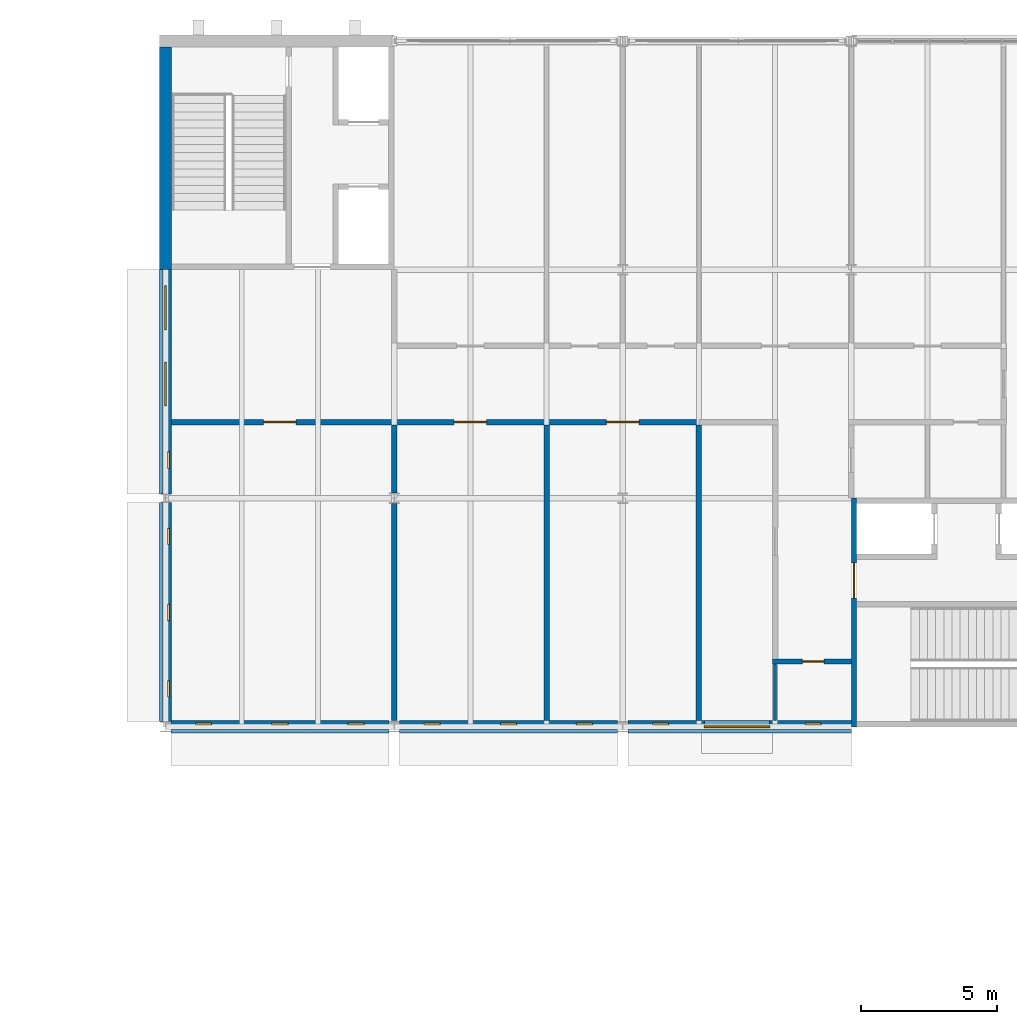
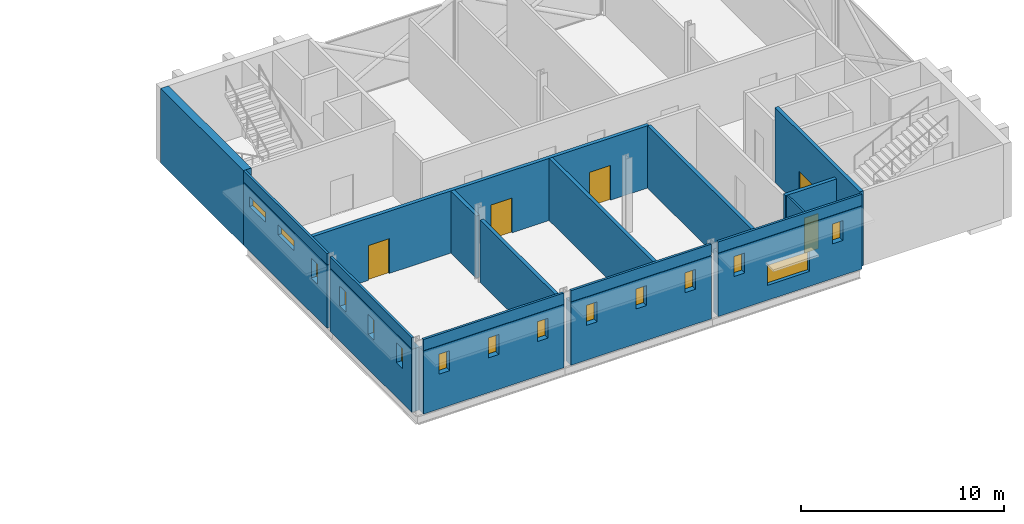
# One storey, part 16 of 22: 19 walls, 15 windows, 5 doors, 20 openings.
"""IFC4 building model written with IfcOpenShell, lengths in metres."""

from ifc_helpers import new_model, si_unit, direction, frame, frame_2d, origin, place, context, subcontext, project, spatial, rectangle, extrude, material, layer, layer_set, type_object, element, fill, save


model = new_model("IFC4")

# Units and contexts
model_context = context("Model", 3, precision=1e-05, world=origin(), true_north=direction((0.0, 1.0)))
body_context = subcontext(model_context, "Body", "Model", "MODEL_VIEW")
ifc_project = project(units=[si_unit("LENGTHUNIT", "METRE"), si_unit("AREAUNIT", "SQUARE_METRE"), si_unit("VOLUMEUNIT", "CUBIC_METRE"), si_unit("PLANEANGLEUNIT", "RADIAN"), si_unit("MASSUNIT", "GRAM", prefix="KILO")], contexts=[model_context])

# Site, building, storey
site_placement = place(None, origin())
site = spatial("IfcSite", under=ifc_project, at=site_placement, CompositionType="ELEMENT")
building_placement = place(site_placement, origin())
building = spatial("IfcBuilding", under=site, at=building_placement, Name="Ardhachandra Cancer Care Centre", CompositionType="ELEMENT")
storey_placement = place(building_placement, frame((0.0, 0.0, 18.0)))
storey = spatial("IfcBuildingStorey", under=building, at=storey_placement, Name="L04", CompositionType="ELEMENT", Elevation=18.0)

# Wall, opening, door
ifc_material_1 = material(Name="Gypsum board corridor partition on steel studs", Category="steel")
ifc_layer_1 = layer(ifc_material_1, 0.199951171875)
ifc_layer_set_1 = layer_set([ifc_layer_1], Name="Gypsum board corridor partition on steel studs")
wall_type_1 = type_object("IfcWallType", Name="CORRIDOR WALL 200", PredefinedType="PARTITIONING", material=ifc_layer_set_1)
wall_1_placement = place(storey_placement, frame((133.89990234375, 82.199951171875, 0.0), z_axis=(0.0, 0.0, 1.0), x_axis=(1.0, 0.0, 0.0)))
wall_1 = element("IfcWall", 1, at=wall_1_placement, inside=storey, type_object=wall_type_1, Name="R/wall/L04/h0082200_0133900", PredefinedType="PARTITIONING", context=body_context, shape_type="SweptSolid", body=[
    extrude(rectangle(XDim=2.900146484375, YDim=0.199951171875, at=frame_2d((1.4501953125, 0.0))), origin(), (0.0, 0.0, 1.0), 3.89404296875),
])
opening_1_placement = place(wall_1_placement, frame((1.10009765625, 0.0, 0.0)))
opening_1 = element("IfcOpeningElement", 2, at=opening_1_placement, cuts=wall_1, Name="Opening L04-0001", PredefinedType="OPENING", context=body_context, shape_type="SweptSolid", body=[
    extrude(rectangle(XDim=0.800048828125, YDim=2.10009765625, at=frame_2d((0.39990234375, 1.050048828125))), frame((0.0, 0.10986328125, 0.0), z_axis=(0.0, -1.0, 0.0), x_axis=(1.0, 0.0, 0.0)), (0.0, 0.0, 1.0), 0.219970703125),
])
ifc_material_2 = material(Name="Timber flush fire door", Category="wood")
door_type_1 = type_object("IfcDoorType", Name="STORE DOOR 800x2100 FD30S", OperationType="NOTDEFINED", PredefinedType="DOOR", material=ifc_material_2)
door_1_placement = place(opening_1_placement, origin())
door_1 = element("IfcDoor", 3, at=door_1_placement, inside=storey, type_object=door_type_1, Name="Door L04-0001", OperationType="SINGLE_SWING_RIGHT", OverallHeight=2.10009765625, OverallWidth=0.800048828125, PredefinedType="DOOR", context=body_context, shape_type="SweptSolid", body=[
    extrude(rectangle(XDim=0.800048828125, YDim=2.10009765625, at=frame_2d((0.39990234375, 1.050048828125))), frame((0.0, 0.02490234375, 0.0), z_axis=(0.0, -1.0, 0.0), x_axis=(1.0, 0.0, 0.0)), (0.0, 0.0, 1.0), 0.050048828125),
])
fill(opening_1, door_1)

# Wall
ifc_material_3 = material(Name="Concrete M40", Category="concrete")
ifc_layer_2 = layer(ifc_material_3, 0.449951171875)
ifc_layer_set_2 = layer_set([ifc_layer_2], Name="Concrete M40")
wall_type_2 = type_object("IfcWallType", Name="Core exterior wall RC 450", PredefinedType="SOLIDWALL", material=ifc_layer_set_2)
wall_2_placement = place(storey_placement, frame((111.60009765625, 96.60009765625, 0.0), z_axis=(0.0, 0.0, 1.0), x_axis=(0.0, 1.0, 0.0)))
element("IfcWall", 4, at=wall_2_placement, inside=storey, type_object=wall_type_2, Name="Core wall K12 UW", PredefinedType="SOLIDWALL", context=body_context, shape_type="SweptSolid", body=[
    extrude(rectangle(XDim=8.1748046875, YDim=0.449951171875, at=frame_2d((4.08740234375, 0.0))), origin(), (0.0, 0.0, 1.0), 4.5),
])

# Wall, opening, door
ifc_material_4 = material(Name="Concrete M40", Category="concrete")
ifc_layer_3 = layer(ifc_material_4, 0.199951171875)
ifc_layer_set_3 = layer_set([ifc_layer_3], Name="Concrete M40")
wall_type_3 = type_object("IfcWallType", Name="Core wall RC 200", PredefinedType="SOLIDWALL", material=ifc_layer_set_3)
wall_3_placement = place(storey_placement, frame((136.89990234375, 79.800048828125, 0.0), z_axis=(0.0, 0.0, 1.0), x_axis=(0.0, 1.0, 0.0)))
wall_3 = element("IfcWall", 5, at=wall_3_placement, inside=storey, type_object=wall_type_3, Name="Core wall K13 ENT", PredefinedType="SOLIDWALL", context=body_context, shape_type="SweptSolid", body=[
    extrude(rectangle(XDim=8.39990234375, YDim=0.199951171875, at=frame_2d((4.199951171875, 0.0))), origin(), (0.0, 0.0, 1.0), 4.5),
])
opening_2_placement = place(wall_3_placement, frame((4.72509765625, 0.0, 0.0)))
opening_2 = element("IfcOpeningElement", 6, at=opening_2_placement, cuts=wall_3, Name="Opening L04-K13-1", PredefinedType="OPENING", context=body_context, shape_type="SweptSolid", body=[
    extrude(rectangle(XDim=1.300048828125, YDim=2.10009765625, at=frame_2d((0.64990234375, 1.050048828125))), frame((0.0, 0.10986328125, 0.0), z_axis=(0.0, -1.0, 0.0), x_axis=(1.0, 0.0, 0.0)), (0.0, 0.0, 1.0), 0.219970703125),
])
ifc_material_5 = material(Name="Steel door set", Category="steel")
door_type_2 = type_object("IfcDoorType", Name="Core entry double door 1300x2100 FD60", OperationType="DOUBLE_DOOR_DOUBLE_SWING", PredefinedType="DOOR", material=ifc_material_5)
door_2_placement = place(opening_2_placement, origin())
door_2 = element("IfcDoor", 7, at=door_2_placement, inside=storey, type_object=door_type_2, Name="Core entry door", OperationType="DOUBLE_DOOR_DOUBLE_SWING", OverallHeight=2.10009765625, OverallWidth=1.300048828125, PredefinedType="DOOR", context=body_context, shape_type="SweptSolid", body=[
    extrude(rectangle(XDim=1.300048828125, YDim=2.10009765625, at=frame_2d((0.64990234375, 1.050048828125))), frame((0.0, 0.02490234375, 0.0), z_axis=(0.0, -1.0, 0.0), x_axis=(1.0, 0.0, 0.0)), (0.0, 0.0, 1.0), 0.050048828125),
])
fill(opening_2, door_2)

# Walls
ifc_material_6 = material(Name="Precast Concrete M30 fascia panel with brick slip facing", Category="masonry")
ifc_layer_4 = layer(ifc_material_6, 0.1298828125)
ifc_layer_set_4 = layer_set([ifc_layer_4], Name="Precast Concrete M30 fascia panel with brick slip facing")
wall_type_4 = type_object("IfcWallType", Name="Edge beam fascia 130", PredefinedType="SOLIDWALL", material=ifc_layer_set_4)
for number, where, z_axis, x_axis, name in (
    (8, (111.797607421875, 79.639892578125, 3.820068359375), (0.0, 0.0, 1.0), (1.0, 0.0, 0.0), "E/fascia/L04/s/0111600_0079800"),
    (9, (120.197509765625, 79.639892578125, 3.820068359375), (0.0, 0.0, 1.0), (1.0, 0.0, 0.0), "E/fascia/L04/s/0120000_0079800"),
):
    element("IfcWall", number, at=place(storey_placement, frame(where, z_axis=z_axis, x_axis=x_axis)), inside=storey, type_object=wall_type_4, Name=name, PredefinedType="SOLIDWALL", context=body_context, shape_type="SweptSolid", body=[
        extrude(rectangle(XDim=8.0048828125, YDim=0.1298828125, at=frame_2d((4.00244140625, 0.0))), origin(), (0.0, 0.0, 1.0), 0.679931640625),
    ])
wall_4_placement = place(storey_placement, frame((128.597412109375, 79.639892578125, 3.820068359375), z_axis=(0.0, 0.0, 1.0), x_axis=(1.0, 0.0, 0.0)))
element("IfcWall", 10, at=wall_4_placement, inside=storey, type_object=wall_type_4, Name="E/fascia/L04/s/0128400_0079800", PredefinedType="SOLIDWALL", context=body_context, shape_type="SweptSolid", body=[
    extrude(rectangle(XDim=8.20263671875, YDim=0.1298828125, at=frame_2d((4.101318359375, 0.0))), origin(), (0.0, 0.0, 1.0), 0.679931640625),
])
wall_5_placement = place(storey_placement, frame((111.43994140625, 79.989990234375, 3.820068359375), z_axis=(0.0, 0.0, 1.0), x_axis=(0.0, 1.0, 0.0)))
element("IfcWall", 11, at=wall_5_placement, inside=storey, type_object=wall_type_4, Name="E/fascia/L04/w/0111600_0079800", PredefinedType="SOLIDWALL", context=body_context, shape_type="SweptSolid", body=[
    extrude(rectangle(XDim=8.06005859375, YDim=0.1298828125, at=frame_2d((4.030029296875, 0.0))), origin(), (0.0, 0.0, 1.0), 0.679931640625),
])
wall_6_placement = place(storey_placement, frame((111.43994140625, 88.35009765625, 3.820068359375), z_axis=(0.0, 0.0, 1.0), x_axis=(0.0, 1.0, 0.0)))
element("IfcWall", 12, at=wall_6_placement, inside=storey, type_object=wall_type_4, Name="E/fascia/L04/w/0111600_0088200", PredefinedType="SOLIDWALL", context=body_context, shape_type="SweptSolid", body=[
    extrude(rectangle(XDim=8.25, YDim=0.1298828125, at=frame_2d((4.125, 0.0))), origin(), (0.0, 0.0, 1.0), 0.679931640625),
])

# Wall, openings, doors
ifc_material_7 = material(Name="Lead-lined gypsum board partition")
ifc_layer_5 = layer(ifc_material_7, 0.199951171875)
ifc_layer_set_5 = layer_set([ifc_layer_5], Name="Lead-lined gypsum board partition")
wall_type_5 = type_object("IfcWallType", Name="LEAD-LINED PARTITION 200", PredefinedType="PARTITIONING", material=ifc_layer_set_5)
wall_7_placement = place(storey_placement, frame((111.824951171875, 91.0, 0.0), z_axis=(0.0, 0.0, 1.0), x_axis=(1.0, 0.0, 0.0)))
wall_7 = element("IfcWall", 13, at=wall_7_placement, inside=storey, type_object=wall_type_5, Name="R/wall/L04/h0091000_0111825", PredefinedType="PARTITIONING", context=body_context, shape_type="SweptSolid", body=[
    extrude(rectangle(XDim=19.375, YDim=0.199951171875, at=frame_2d((9.6875, 0.0))), origin(), (0.0, 0.0, 1.0), 3.75),
])
opening_3_placement = place(wall_7_placement, frame((3.375, 0.0, 0.0)))
opening_3 = element("IfcOpeningElement", 14, at=opening_3_placement, cuts=wall_7, Name="Opening L04-0011", PredefinedType="OPENING", context=body_context, shape_type="SweptSolid", body=[
    extrude(rectangle(XDim=1.199951171875, YDim=2.10009765625, at=frame_2d((0.60009765625, 1.050048828125))), frame((0.0, 0.10986328125, 0.0), z_axis=(0.0, -1.0, 0.0), x_axis=(1.0, 0.0, 0.0)), (0.0, 0.0, 1.0), 0.219970703125),
])
opening_4_placement = place(wall_7_placement, frame((10.375, 0.0, 0.0)))
opening_4 = element("IfcOpeningElement", 15, at=opening_4_placement, cuts=wall_7, Name="Opening L04-0012", PredefinedType="OPENING", context=body_context, shape_type="SweptSolid", body=[
    extrude(rectangle(XDim=1.199951171875, YDim=2.10009765625, at=frame_2d((0.60009765625, 1.050048828125))), frame((0.0, 0.10986328125, 0.0), z_axis=(0.0, -1.0, 0.0), x_axis=(1.0, 0.0, 0.0)), (0.0, 0.0, 1.0), 0.219970703125),
])
opening_5_placement = place(wall_7_placement, frame((15.97509765625, 0.0, 0.0)))
opening_5 = element("IfcOpeningElement", 16, at=opening_5_placement, cuts=wall_7, Name="Opening L04-0013", PredefinedType="OPENING", context=body_context, shape_type="SweptSolid", body=[
    extrude(rectangle(XDim=1.199951171875, YDim=2.10009765625, at=frame_2d((0.60009765625, 1.050048828125))), frame((0.0, 0.10986328125, 0.0), z_axis=(0.0, -1.0, 0.0), x_axis=(1.0, 0.0, 0.0)), (0.0, 0.0, 1.0), 0.219970703125),
])
ifc_material_8 = material(Name="Lead-lined timber door", Category="wood")
door_type_3 = type_object("IfcDoorType", Name="LEAD-LINED DOOR 1200x2100 FD60", OperationType="NOTDEFINED", PredefinedType="DOOR", material=ifc_material_8)
door_3_placement = place(opening_3_placement, origin())
door_3 = element("IfcDoor", 17, at=door_3_placement, inside=storey, type_object=door_type_3, Name="Door L04-0011", OperationType="SINGLE_SWING_RIGHT", OverallHeight=2.10009765625, OverallWidth=1.199951171875, PredefinedType="DOOR", context=body_context, shape_type="SweptSolid", body=[
    extrude(rectangle(XDim=1.199951171875, YDim=2.10009765625, at=frame_2d((0.60009765625, 1.050048828125))), frame((0.0, 0.02490234375, 0.0), z_axis=(0.0, -1.0, 0.0), x_axis=(1.0, 0.0, 0.0)), (0.0, 0.0, 1.0), 0.050048828125),
])
fill(opening_3, door_3)
door_4_placement = place(opening_4_placement, origin())
door_4 = element("IfcDoor", 18, at=door_4_placement, inside=storey, type_object=door_type_3, Name="Door L04-0012", OperationType="SINGLE_SWING_LEFT", OverallHeight=2.10009765625, OverallWidth=1.199951171875, PredefinedType="DOOR", context=body_context, shape_type="SweptSolid", body=[
    extrude(rectangle(XDim=1.199951171875, YDim=2.10009765625, at=frame_2d((0.60009765625, 1.050048828125))), frame((0.0, 0.02490234375, 0.0), z_axis=(0.0, -1.0, 0.0), x_axis=(1.0, 0.0, 0.0)), (0.0, 0.0, 1.0), 0.050048828125),
])
fill(opening_4, door_4)
door_5_placement = place(opening_5_placement, origin())
door_5 = element("IfcDoor", 19, at=door_5_placement, inside=storey, type_object=door_type_3, Name="Door L04-0013", OperationType="SINGLE_SWING_RIGHT", OverallHeight=2.10009765625, OverallWidth=1.199951171875, PredefinedType="DOOR", context=body_context, shape_type="SweptSolid", body=[
    extrude(rectangle(XDim=1.199951171875, YDim=2.10009765625, at=frame_2d((0.60009765625, 1.050048828125))), frame((0.0, 0.02490234375, 0.0), z_axis=(0.0, -1.0, 0.0), x_axis=(1.0, 0.0, 0.0)), (0.0, 0.0, 1.0), 0.050048828125),
])
fill(opening_5, door_5)

# Walls
wall_8_placement = place(storey_placement, frame((120.0, 80.02490234375, 0.0), z_axis=(0.0, 0.0, 1.0), x_axis=(0.0, 1.0, 0.0)))
element("IfcWall", 20, at=wall_8_placement, inside=storey, type_object=wall_type_5, Name="R/wall/L04/v0120000_0080025", PredefinedType="PARTITIONING", context=body_context, shape_type="SweptSolid", body=[
    extrude(rectangle(XDim=7.9775390625, YDim=0.199951171875, at=frame_2d((3.98876953125, 0.0))), origin(), (0.0, 0.0, 1.0), 3.75),
])
wall_9_placement = place(storey_placement, frame((120.0, 88.3974609375, 0.0), z_axis=(0.0, 0.0, 1.0), x_axis=(0.0, 1.0, 0.0)))
element("IfcWall", 21, at=wall_9_placement, inside=storey, type_object=wall_type_5, Name="R/wall/L04/v0120000_0088398", PredefinedType="PARTITIONING", context=body_context, shape_type="SweptSolid", body=[
    extrude(rectangle(XDim=2.50244140625, YDim=0.199951171875, at=frame_2d((1.251220703125, 0.0))), origin(), (0.0, 0.0, 1.0), 3.75),
])
for number, where, z_axis, x_axis, name in (
    (22, (125.60009765625, 80.02490234375, 0.0), (0.0, 0.0, 1.0), (0.0, 1.0, 0.0), "R/wall/L04/v0125600_0080025"),
    (23, (131.199951171875, 80.02490234375, 0.0), (0.0, 0.0, 1.0), (0.0, 1.0, 0.0), "R/wall/L04/v0131200_0080025"),
):
    element("IfcWall", number, at=place(storey_placement, frame(where, z_axis=z_axis, x_axis=x_axis)), inside=storey, type_object=wall_type_5, Name=name, PredefinedType="PARTITIONING", context=body_context, shape_type="SweptSolid", body=[
        extrude(rectangle(XDim=10.875, YDim=0.199951171875, at=frame_2d((5.4375, 0.0))), origin(), (0.0, 0.0, 1.0), 3.75),
    ])
ifc_material_9 = material(Name="Concrete block masonry", Category="masonry")
ifc_layer_6 = layer(ifc_material_9, 0.10009765625)
ifc_layer_set_6 = layer_set([ifc_layer_6], Name="Concrete block masonry")
wall_type_6 = type_object("IfcWallType", Name="STORE PARTITION 100", PredefinedType="SOLIDWALL", material=ifc_layer_set_6)
wall_10_placement = place(storey_placement, frame((134.0, 80.02490234375, 0.0), z_axis=(0.0, 0.0, 1.0), x_axis=(0.0, 1.0, 0.0)))
element("IfcWall", 24, at=wall_10_placement, inside=storey, type_object=wall_type_6, Name="R/wall/L04/v0134000_0080025", PredefinedType="SOLIDWALL", context=body_context, shape_type="SweptSolid", body=[
    extrude(rectangle(XDim=2.0751953125, YDim=0.10009765625, at=frame_2d((1.03759765625, 0.0))), origin(), (0.0, 0.0, 1.0), 3.89404296875),
])

# Wall, openings, windows
ifc_material_10 = material(Name="Brick masonry with Concrete M30 core 150", Category="masonry")
ifc_layer_7 = layer(ifc_material_10, 0.449951171875)
ifc_layer_set_7 = layer_set([ifc_layer_7], Name="Brick masonry with Concrete M30 core 150")
wall_type_7 = type_object("IfcWallType", Name="Shielded brick wall 450", PredefinedType="SOLIDWALL", material=ifc_layer_set_7)
wall_11_placement = place(storey_placement, frame((111.797607421875, 79.800048828125, 0.0), z_axis=(0.0, 0.0, 1.0), x_axis=(1.0, 0.0, 0.0)))
wall_11 = element("IfcWall", 25, at=wall_11_placement, inside=storey, type_object=wall_type_7, Name="E/wall/L04/s/0111600_0079800", PredefinedType="SOLIDWALL", context=body_context, shape_type="SweptSolid", body=[
    extrude(rectangle(XDim=8.0048828125, YDim=0.449951171875, at=frame_2d((4.00244140625, 0.0))), origin(), (0.0, 0.0, 1.0), 3.800048828125),
])
opening_6_placement = place(wall_11_placement, frame((0.902587890625, 0.0, 2.10009765625)))
opening_6 = element("IfcOpeningElement", 26, at=opening_6_placement, cuts=wall_11, Name="Opening W4", PredefinedType="OPENING", context=body_context, shape_type="SweptSolid", body=[
    extrude(rectangle(XDim=0.60009765625, YDim=1.199951171875, at=frame_2d((0.300048828125, 0.60009765625))), frame((0.0, 0.23486328125, 0.0), z_axis=(0.0, -1.0, 0.0), x_axis=(1.0, 0.0, 0.0)), (0.0, 0.0, 1.0), 0.469970703125),
])
opening_7_placement = place(wall_11_placement, frame((3.702392578125, 0.0, 2.10009765625)))
opening_7 = element("IfcOpeningElement", 27, at=opening_7_placement, cuts=wall_11, Name="Opening W4", PredefinedType="OPENING", context=body_context, shape_type="SweptSolid", body=[
    extrude(rectangle(XDim=0.60009765625, YDim=1.199951171875, at=frame_2d((0.300048828125, 0.60009765625))), frame((0.0, 0.23486328125, 0.0), z_axis=(0.0, -1.0, 0.0), x_axis=(1.0, 0.0, 0.0)), (0.0, 0.0, 1.0), 0.469970703125),
])
opening_8_placement = place(wall_11_placement, frame((6.50244140625, 0.0, 2.10009765625)))
opening_8 = element("IfcOpeningElement", 28, at=opening_8_placement, cuts=wall_11, Name="Opening W4", PredefinedType="OPENING", context=body_context, shape_type="SweptSolid", body=[
    extrude(rectangle(XDim=0.60009765625, YDim=1.199951171875, at=frame_2d((0.300048828125, 0.60009765625))), frame((0.0, 0.23486328125, 0.0), z_axis=(0.0, -1.0, 0.0), x_axis=(1.0, 0.0, 0.0)), (0.0, 0.0, 1.0), 0.469970703125),
])
ifc_material_11 = material(Name="Aluminium frame with double-glazed unit", Category="aluminium")
window_type_1 = type_object("IfcWindowType", Name="Slot window 600 x 1200", PartitioningType="SINGLE_PANEL", PredefinedType="WINDOW", material=ifc_material_11)
window_1_placement = place(opening_6_placement, origin())
window_1 = element("IfcWindow", 29, at=window_1_placement, inside=storey, type_object=window_type_1, Name="W4 window L04 s/0111600_0079800 1", OverallHeight=1.199951171875, OverallWidth=0.60009765625, PartitioningType="SINGLE_PANEL", PredefinedType="WINDOW", context=body_context, shape_type="SweptSolid", body=[
    extrude(rectangle(XDim=0.60009765625, YDim=1.199951171875, at=frame_2d((0.300048828125, 0.60009765625))), frame((0.0, 0.135009765625, 0.0), z_axis=(0.0, -1.0, 0.0), x_axis=(1.0, 0.0, 0.0)), (0.0, 0.0, 1.0), 0.06005859375),
])
fill(opening_6, window_1)
window_2_placement = place(opening_7_placement, origin())
window_2 = element("IfcWindow", 30, at=window_2_placement, inside=storey, type_object=window_type_1, Name="W4 window L04 s/0111600_0079800 2", OverallHeight=1.199951171875, OverallWidth=0.60009765625, PartitioningType="SINGLE_PANEL", PredefinedType="WINDOW", context=body_context, shape_type="SweptSolid", body=[
    extrude(rectangle(XDim=0.60009765625, YDim=1.199951171875, at=frame_2d((0.300048828125, 0.60009765625))), frame((0.0, 0.135009765625, 0.0), z_axis=(0.0, -1.0, 0.0), x_axis=(1.0, 0.0, 0.0)), (0.0, 0.0, 1.0), 0.06005859375),
])
fill(opening_7, window_2)
window_3_placement = place(opening_8_placement, origin())
window_3 = element("IfcWindow", 31, at=window_3_placement, inside=storey, type_object=window_type_1, Name="W4 window L04 s/0111600_0079800 3", OverallHeight=1.199951171875, OverallWidth=0.60009765625, PartitioningType="SINGLE_PANEL", PredefinedType="WINDOW", context=body_context, shape_type="SweptSolid", body=[
    extrude(rectangle(XDim=0.60009765625, YDim=1.199951171875, at=frame_2d((0.300048828125, 0.60009765625))), frame((0.0, 0.135009765625, 0.0), z_axis=(0.0, -1.0, 0.0), x_axis=(1.0, 0.0, 0.0)), (0.0, 0.0, 1.0), 0.06005859375),
])
fill(opening_8, window_3)

wall_12_placement = place(storey_placement, frame((120.197509765625, 79.800048828125, 0.0), z_axis=(0.0, 0.0, 1.0), x_axis=(1.0, 0.0, 0.0)))
wall_12 = element("IfcWall", 32, at=wall_12_placement, inside=storey, type_object=wall_type_7, Name="E/wall/L04/s/0120000_0079800", PredefinedType="SOLIDWALL", context=body_context, shape_type="SweptSolid", body=[
    extrude(rectangle(XDim=8.0048828125, YDim=0.449951171875, at=frame_2d((4.00244140625, 0.0))), origin(), (0.0, 0.0, 1.0), 3.800048828125),
])
opening_9_placement = place(wall_12_placement, frame((0.902587890625, 0.0, 2.10009765625)))
opening_9 = element("IfcOpeningElement", 33, at=opening_9_placement, cuts=wall_12, Name="Opening W4", PredefinedType="OPENING", context=body_context, shape_type="SweptSolid", body=[
    extrude(rectangle(XDim=0.60009765625, YDim=1.199951171875, at=frame_2d((0.300048828125, 0.60009765625))), frame((0.0, 0.23486328125, 0.0), z_axis=(0.0, -1.0, 0.0), x_axis=(1.0, 0.0, 0.0)), (0.0, 0.0, 1.0), 0.469970703125),
])
opening_10_placement = place(wall_12_placement, frame((3.702392578125, 0.0, 2.10009765625)))
opening_10 = element("IfcOpeningElement", 34, at=opening_10_placement, cuts=wall_12, Name="Opening W4", PredefinedType="OPENING", context=body_context, shape_type="SweptSolid", body=[
    extrude(rectangle(XDim=0.60009765625, YDim=1.199951171875, at=frame_2d((0.300048828125, 0.60009765625))), frame((0.0, 0.23486328125, 0.0), z_axis=(0.0, -1.0, 0.0), x_axis=(1.0, 0.0, 0.0)), (0.0, 0.0, 1.0), 0.469970703125),
])
opening_11_placement = place(wall_12_placement, frame((6.50244140625, 0.0, 2.10009765625)))
opening_11 = element("IfcOpeningElement", 35, at=opening_11_placement, cuts=wall_12, Name="Opening W4", PredefinedType="OPENING", context=body_context, shape_type="SweptSolid", body=[
    extrude(rectangle(XDim=0.60009765625, YDim=1.199951171875, at=frame_2d((0.300048828125, 0.60009765625))), frame((0.0, 0.23486328125, 0.0), z_axis=(0.0, -1.0, 0.0), x_axis=(1.0, 0.0, 0.0)), (0.0, 0.0, 1.0), 0.469970703125),
])
window_4_placement = place(opening_9_placement, origin())
window_4 = element("IfcWindow", 36, at=window_4_placement, inside=storey, type_object=window_type_1, Name="W4 window L04 s/0120000_0079800 1", OverallHeight=1.199951171875, OverallWidth=0.60009765625, PartitioningType="SINGLE_PANEL", PredefinedType="WINDOW", context=body_context, shape_type="SweptSolid", body=[
    extrude(rectangle(XDim=0.60009765625, YDim=1.199951171875, at=frame_2d((0.300048828125, 0.60009765625))), frame((0.0, 0.135009765625, 0.0), z_axis=(0.0, -1.0, 0.0), x_axis=(1.0, 0.0, 0.0)), (0.0, 0.0, 1.0), 0.06005859375),
])
fill(opening_9, window_4)
window_5_placement = place(opening_10_placement, origin())
window_5 = element("IfcWindow", 37, at=window_5_placement, inside=storey, type_object=window_type_1, Name="W4 window L04 s/0120000_0079800 2", OverallHeight=1.199951171875, OverallWidth=0.60009765625, PartitioningType="SINGLE_PANEL", PredefinedType="WINDOW", context=body_context, shape_type="SweptSolid", body=[
    extrude(rectangle(XDim=0.60009765625, YDim=1.199951171875, at=frame_2d((0.300048828125, 0.60009765625))), frame((0.0, 0.135009765625, 0.0), z_axis=(0.0, -1.0, 0.0), x_axis=(1.0, 0.0, 0.0)), (0.0, 0.0, 1.0), 0.06005859375),
])
fill(opening_10, window_5)
window_6_placement = place(opening_11_placement, origin())
window_6 = element("IfcWindow", 38, at=window_6_placement, inside=storey, type_object=window_type_1, Name="W4 window L04 s/0120000_0079800 3", OverallHeight=1.199951171875, OverallWidth=0.60009765625, PartitioningType="SINGLE_PANEL", PredefinedType="WINDOW", context=body_context, shape_type="SweptSolid", body=[
    extrude(rectangle(XDim=0.60009765625, YDim=1.199951171875, at=frame_2d((0.300048828125, 0.60009765625))), frame((0.0, 0.135009765625, 0.0), z_axis=(0.0, -1.0, 0.0), x_axis=(1.0, 0.0, 0.0)), (0.0, 0.0, 1.0), 0.06005859375),
])
fill(opening_11, window_6)

wall_13_placement = place(storey_placement, frame((128.597412109375, 79.800048828125, 0.0), z_axis=(0.0, 0.0, 1.0), x_axis=(1.0, 0.0, 0.0)))
wall_13 = element("IfcWall", 39, at=wall_13_placement, inside=storey, type_object=wall_type_7, Name="E/wall/L04/s/0128400_0079800", PredefinedType="SOLIDWALL", context=body_context, shape_type="SweptSolid", body=[
    extrude(rectangle(XDim=8.20263671875, YDim=0.449951171875, at=frame_2d((4.101318359375, 0.0))), origin(), (0.0, 0.0, 1.0), 3.800048828125),
])
opening_12_placement = place(wall_13_placement, frame((0.902587890625, 0.0, 2.10009765625)))
opening_12 = element("IfcOpeningElement", 40, at=opening_12_placement, cuts=wall_13, Name="Opening W4", PredefinedType="OPENING", context=body_context, shape_type="SweptSolid", body=[
    extrude(rectangle(XDim=0.60009765625, YDim=1.199951171875, at=frame_2d((0.300048828125, 0.60009765625))), frame((0.0, 0.23486328125, 0.0), z_axis=(0.0, -1.0, 0.0), x_axis=(1.0, 0.0, 0.0)), (0.0, 0.0, 1.0), 0.469970703125),
])
opening_13_placement = place(wall_13_placement, frame((2.802490234375, 0.0, 0.89990234375)))
opening_13 = element("IfcOpeningElement", 41, at=opening_13_placement, cuts=wall_13, Name="Opening W9", PredefinedType="OPENING", context=body_context, shape_type="SweptSolid", body=[
    extrude(rectangle(XDim=2.39990234375, YDim=1.199951171875, at=frame_2d((1.199951171875, 0.60009765625))), frame((0.0, 0.23486328125, 0.0), z_axis=(0.0, -1.0, 0.0), x_axis=(1.0, 0.0, 0.0)), (0.0, 0.0, 1.0), 0.469970703125),
])
opening_14_placement = place(wall_13_placement, frame((6.50244140625, 0.0, 2.10009765625)))
opening_14 = element("IfcOpeningElement", 42, at=opening_14_placement, cuts=wall_13, Name="Opening W4", PredefinedType="OPENING", context=body_context, shape_type="SweptSolid", body=[
    extrude(rectangle(XDim=0.60009765625, YDim=1.199951171875, at=frame_2d((0.300048828125, 0.60009765625))), frame((0.0, 0.23486328125, 0.0), z_axis=(0.0, -1.0, 0.0), x_axis=(1.0, 0.0, 0.0)), (0.0, 0.0, 1.0), 0.469970703125),
])
window_7_placement = place(opening_12_placement, origin())
window_7 = element("IfcWindow", 43, at=window_7_placement, inside=storey, type_object=window_type_1, Name="W4 window L04 s/0128400_0079800 1", OverallHeight=1.199951171875, OverallWidth=0.60009765625, PartitioningType="SINGLE_PANEL", PredefinedType="WINDOW", context=body_context, shape_type="SweptSolid", body=[
    extrude(rectangle(XDim=0.60009765625, YDim=1.199951171875, at=frame_2d((0.300048828125, 0.60009765625))), frame((0.0, 0.135009765625, 0.0), z_axis=(0.0, -1.0, 0.0), x_axis=(1.0, 0.0, 0.0)), (0.0, 0.0, 1.0), 0.06005859375),
])
fill(opening_12, window_7)
window_8_placement = place(opening_14_placement, origin())
window_8 = element("IfcWindow", 44, at=window_8_placement, inside=storey, type_object=window_type_1, Name="W4 window L04 s/0128400_0079800 3", OverallHeight=1.199951171875, OverallWidth=0.60009765625, PartitioningType="SINGLE_PANEL", PredefinedType="WINDOW", context=body_context, shape_type="SweptSolid", body=[
    extrude(rectangle(XDim=0.60009765625, YDim=1.199951171875, at=frame_2d((0.300048828125, 0.60009765625))), frame((0.0, 0.135009765625, 0.0), z_axis=(0.0, -1.0, 0.0), x_axis=(1.0, 0.0, 0.0)), (0.0, 0.0, 1.0), 0.06005859375),
])
fill(opening_14, window_8)
ifc_material_12 = material(Name="Steel frame with double-glazed unit (Steel E250 (IS 2062))", Category="steel")
window_type_2 = type_object("IfcWindowType", Name="Steel glazing band 2400 x 1200", PartitioningType="SINGLE_PANEL", PredefinedType="WINDOW", material=ifc_material_12)
window_9_placement = place(opening_13_placement, origin())
window_9 = element("IfcWindow", 45, at=window_9_placement, inside=storey, type_object=window_type_2, Name="W9 window L04 s/0128400_0079800 2", OverallHeight=1.199951171875, OverallWidth=2.39990234375, PartitioningType="SINGLE_PANEL", PredefinedType="WINDOW", context=body_context, shape_type="SweptSolid", body=[
    extrude(rectangle(XDim=2.39990234375, YDim=1.199951171875, at=frame_2d((1.199951171875, 0.60009765625))), frame((0.0, 0.030029296875, 0.0), z_axis=(0.0, -1.0, 0.0), x_axis=(1.0, 0.0, 0.0)), (0.0, 0.0, 1.0), 0.06005859375),
])
fill(opening_13, window_9)

wall_14_placement = place(storey_placement, frame((111.60009765625, 79.989990234375, 0.0), z_axis=(0.0, 0.0, 1.0), x_axis=(0.0, 1.0, 0.0)))
wall_14 = element("IfcWall", 46, at=wall_14_placement, inside=storey, type_object=wall_type_7, Name="E/wall/L04/w/0111600_0079800", PredefinedType="SOLIDWALL", context=body_context, shape_type="SweptSolid", body=[
    extrude(rectangle(XDim=8.06005859375, YDim=0.449951171875, at=frame_2d((4.030029296875, 0.0))), origin(), (0.0, 0.0, 1.0), 3.800048828125),
])
opening_15_placement = place(wall_14_placement, frame((0.909912109375, 0.0, 2.10009765625)))
opening_15 = element("IfcOpeningElement", 47, at=opening_15_placement, cuts=wall_14, Name="Opening W4", PredefinedType="OPENING", context=body_context, shape_type="SweptSolid", body=[
    extrude(rectangle(XDim=0.60009765625, YDim=1.199951171875, at=frame_2d((0.300048828125, 0.60009765625))), frame((0.0, 0.23486328125, 0.0), z_axis=(0.0, -1.0, 0.0), x_axis=(1.0, 0.0, 0.0)), (0.0, 0.0, 1.0), 0.469970703125),
])
opening_16_placement = place(wall_14_placement, frame((3.7099609375, 0.0, 2.10009765625)))
opening_16 = element("IfcOpeningElement", 48, at=opening_16_placement, cuts=wall_14, Name="Opening W4", PredefinedType="OPENING", context=body_context, shape_type="SweptSolid", body=[
    extrude(rectangle(XDim=0.60009765625, YDim=1.199951171875, at=frame_2d((0.300048828125, 0.60009765625))), frame((0.0, 0.23486328125, 0.0), z_axis=(0.0, -1.0, 0.0), x_axis=(1.0, 0.0, 0.0)), (0.0, 0.0, 1.0), 0.469970703125),
])
opening_17_placement = place(wall_14_placement, frame((6.510009765625, 0.0, 2.10009765625)))
opening_17 = element("IfcOpeningElement", 49, at=opening_17_placement, cuts=wall_14, Name="Opening W4", PredefinedType="OPENING", context=body_context, shape_type="SweptSolid", body=[
    extrude(rectangle(XDim=0.60009765625, YDim=1.199951171875, at=frame_2d((0.300048828125, 0.60009765625))), frame((0.0, 0.23486328125, 0.0), z_axis=(0.0, -1.0, 0.0), x_axis=(1.0, 0.0, 0.0)), (0.0, 0.0, 1.0), 0.469970703125),
])
window_10_placement = place(opening_15_placement, origin())
window_10 = element("IfcWindow", 50, at=window_10_placement, inside=storey, type_object=window_type_1, Name="W4 window L04 w/0111600_0079800 1", OverallHeight=1.199951171875, OverallWidth=0.60009765625, PartitioningType="SINGLE_PANEL", PredefinedType="WINDOW", context=body_context, shape_type="SweptSolid", body=[
    extrude(rectangle(XDim=0.60009765625, YDim=1.199951171875, at=frame_2d((0.300048828125, 0.60009765625))), frame((0.0, -0.074951171875, 0.0), z_axis=(0.0, -1.0, 0.0), x_axis=(1.0, 0.0, 0.0)), (0.0, 0.0, 1.0), 0.06005859375),
])
fill(opening_15, window_10)
window_11_placement = place(opening_16_placement, origin())
window_11 = element("IfcWindow", 51, at=window_11_placement, inside=storey, type_object=window_type_1, Name="W4 window L04 w/0111600_0079800 2", OverallHeight=1.199951171875, OverallWidth=0.60009765625, PartitioningType="SINGLE_PANEL", PredefinedType="WINDOW", context=body_context, shape_type="SweptSolid", body=[
    extrude(rectangle(XDim=0.60009765625, YDim=1.199951171875, at=frame_2d((0.300048828125, 0.60009765625))), frame((0.0, -0.074951171875, 0.0), z_axis=(0.0, -1.0, 0.0), x_axis=(1.0, 0.0, 0.0)), (0.0, 0.0, 1.0), 0.06005859375),
])
fill(opening_16, window_11)
window_12_placement = place(opening_17_placement, origin())
window_12 = element("IfcWindow", 52, at=window_12_placement, inside=storey, type_object=window_type_1, Name="W4 window L04 w/0111600_0079800 3", OverallHeight=1.199951171875, OverallWidth=0.60009765625, PartitioningType="SINGLE_PANEL", PredefinedType="WINDOW", context=body_context, shape_type="SweptSolid", body=[
    extrude(rectangle(XDim=0.60009765625, YDim=1.199951171875, at=frame_2d((0.300048828125, 0.60009765625))), frame((0.0, -0.074951171875, 0.0), z_axis=(0.0, -1.0, 0.0), x_axis=(1.0, 0.0, 0.0)), (0.0, 0.0, 1.0), 0.06005859375),
])
fill(opening_17, window_12)

wall_15_placement = place(storey_placement, frame((111.60009765625, 88.35009765625, 0.0), z_axis=(0.0, 0.0, 1.0), x_axis=(0.0, 1.0, 0.0)))
wall_15 = element("IfcWall", 53, at=wall_15_placement, inside=storey, type_object=wall_type_7, Name="E/wall/L04/w/0111600_0088200", PredefinedType="SOLIDWALL", context=body_context, shape_type="SweptSolid", body=[
    extrude(rectangle(XDim=8.25, YDim=0.449951171875, at=frame_2d((4.125, 0.0))), origin(), (0.0, 0.0, 1.0), 3.800048828125),
])
opening_18_placement = place(wall_15_placement, frame((0.949951171875, 0.0, 2.10009765625)))
opening_18 = element("IfcOpeningElement", 54, at=opening_18_placement, cuts=wall_15, Name="Opening W4", PredefinedType="OPENING", context=body_context, shape_type="SweptSolid", body=[
    extrude(rectangle(XDim=0.60009765625, YDim=1.199951171875, at=frame_2d((0.300048828125, 0.60009765625))), frame((0.0, 0.23486328125, 0.0), z_axis=(0.0, -1.0, 0.0), x_axis=(1.0, 0.0, 0.0)), (0.0, 0.0, 1.0), 0.469970703125),
])
opening_19_placement = place(wall_15_placement, frame((3.25, 0.0, 2.699951171875)))
opening_19 = element("IfcOpeningElement", 55, at=opening_19_placement, cuts=wall_15, Name="Opening W3", PredefinedType="OPENING", context=body_context, shape_type="SweptSolid", body=[
    extrude(rectangle(XDim=1.60009765625, YDim=0.60009765625, at=frame_2d((0.800048828125, 0.300048828125))), frame((0.0, 0.23486328125, 0.0), z_axis=(0.0, -1.0, 0.0), x_axis=(1.0, 0.0, 0.0)), (0.0, 0.0, 1.0), 0.469970703125),
])
opening_20_placement = place(wall_15_placement, frame((6.050048828125, 0.0, 2.699951171875)))
opening_20 = element("IfcOpeningElement", 56, at=opening_20_placement, cuts=wall_15, Name="Opening W3", PredefinedType="OPENING", context=body_context, shape_type="SweptSolid", body=[
    extrude(rectangle(XDim=1.60009765625, YDim=0.60009765625, at=frame_2d((0.800048828125, 0.300048828125))), frame((0.0, 0.23486328125, 0.0), z_axis=(0.0, -1.0, 0.0), x_axis=(1.0, 0.0, 0.0)), (0.0, 0.0, 1.0), 0.469970703125),
])
ifc_material_13 = material(Name="Aluminium frame with double-glazed unit", Category="aluminium")
window_type_3 = type_object("IfcWindowType", Name="Clerestory window 1600 x 600", PartitioningType="SINGLE_PANEL", PredefinedType="WINDOW", material=ifc_material_13)
window_13_placement = place(opening_19_placement, origin())
window_13 = element("IfcWindow", 57, at=window_13_placement, inside=storey, type_object=window_type_3, Name="W3 window L04 w/0111600_0088200 2", OverallHeight=0.60009765625, OverallWidth=1.60009765625, PartitioningType="SINGLE_PANEL", PredefinedType="WINDOW", context=body_context, shape_type="SweptSolid", body=[
    extrude(rectangle(XDim=1.60009765625, YDim=0.60009765625, at=frame_2d((0.800048828125, 0.300048828125))), frame((0.0, 0.030029296875, 0.0), z_axis=(0.0, -1.0, 0.0), x_axis=(1.0, 0.0, 0.0)), (0.0, 0.0, 1.0), 0.06005859375),
])
fill(opening_19, window_13)
window_14_placement = place(opening_20_placement, origin())
window_14 = element("IfcWindow", 58, at=window_14_placement, inside=storey, type_object=window_type_3, Name="W3 window L04 w/0111600_0088200 3", OverallHeight=0.60009765625, OverallWidth=1.60009765625, PartitioningType="SINGLE_PANEL", PredefinedType="WINDOW", context=body_context, shape_type="SweptSolid", body=[
    extrude(rectangle(XDim=1.60009765625, YDim=0.60009765625, at=frame_2d((0.800048828125, 0.300048828125))), frame((0.0, 0.030029296875, 0.0), z_axis=(0.0, -1.0, 0.0), x_axis=(1.0, 0.0, 0.0)), (0.0, 0.0, 1.0), 0.06005859375),
])
fill(opening_20, window_14)
window_15_placement = place(opening_18_placement, origin())
window_15 = element("IfcWindow", 59, at=window_15_placement, inside=storey, type_object=window_type_1, Name="W4 window L04 w/0111600_0088200 1", OverallHeight=1.199951171875, OverallWidth=0.60009765625, PartitioningType="SINGLE_PANEL", PredefinedType="WINDOW", context=body_context, shape_type="SweptSolid", body=[
    extrude(rectangle(XDim=0.60009765625, YDim=1.199951171875, at=frame_2d((0.300048828125, 0.60009765625))), frame((0.0, -0.074951171875, 0.0), z_axis=(0.0, -1.0, 0.0), x_axis=(1.0, 0.0, 0.0)), (0.0, 0.0, 1.0), 0.06005859375),
])
fill(opening_18, window_15)

save(model, "model.ifc")
